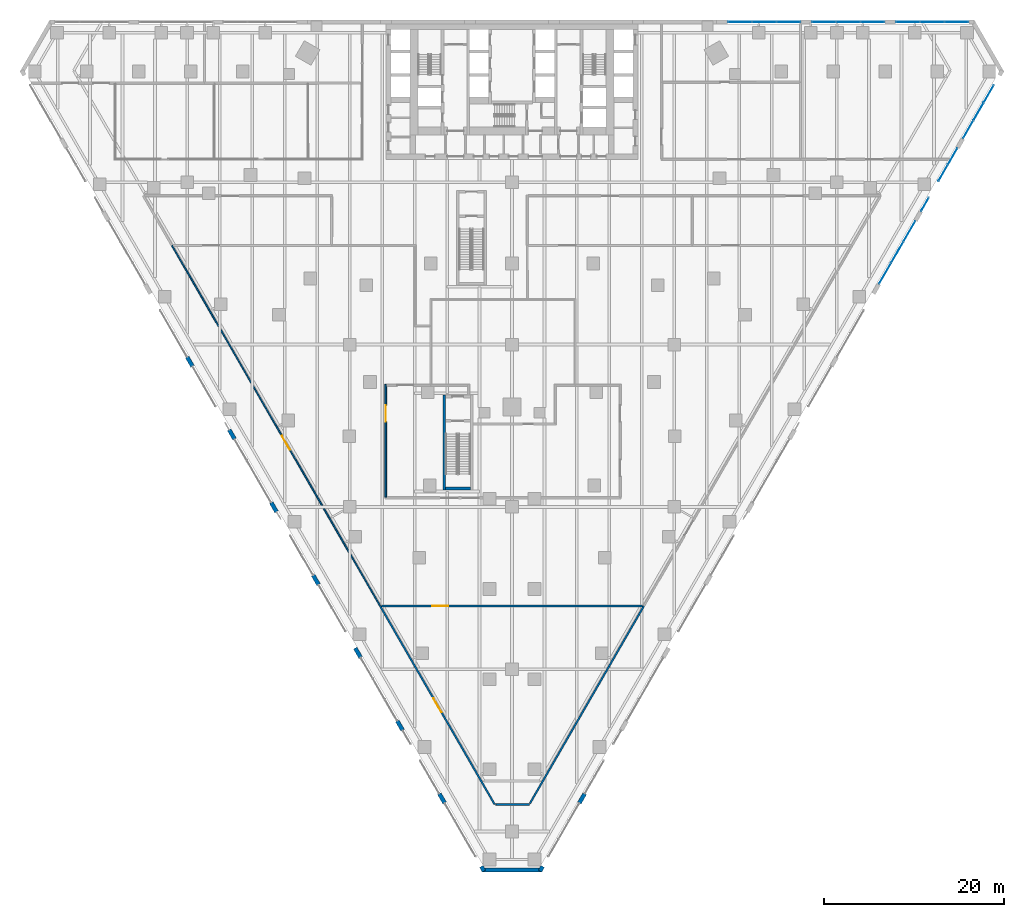
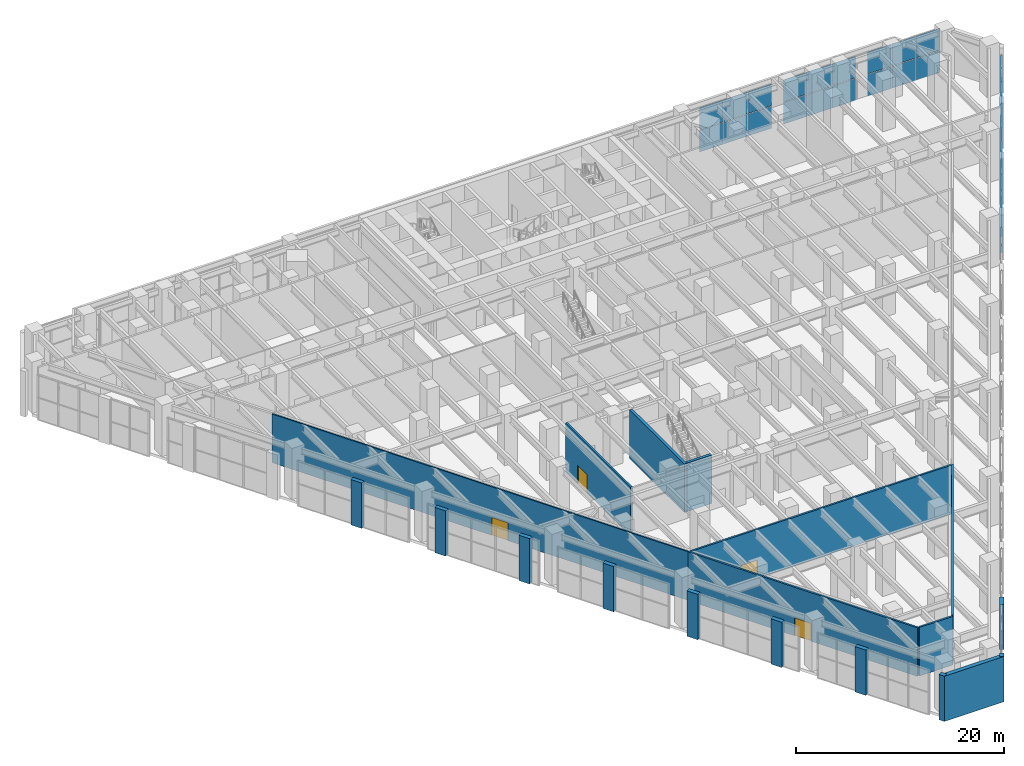
# One storey, part 29 of 37: 36 plates, 19 walls, 4 doors, 4 openings, 7 elements without a shape of their own.
"""IFC4 building model written with IfcOpenShell, lengths in metres."""

from ifc_helpers import new_model, si_unit, direction, frame, frame_2d, origin, origin_2d, place, context, subcontext, project, spatial, polyline, rectangle, outline, extrude, material, layer, layer_set, type_object, element, fill, aggregate, save


model = new_model("IFC4")

# Units and contexts
model_context = context("Model", 3, precision=1e-05, world=origin(), true_north=direction((0.0, 1.0)))
body_context = subcontext(model_context, "Body", "Model", "MODEL_VIEW")
ifc_project = project(units=[si_unit("LENGTHUNIT", "METRE"), si_unit("AREAUNIT", "SQUARE_METRE"), si_unit("VOLUMEUNIT", "CUBIC_METRE"), si_unit("PLANEANGLEUNIT", "RADIAN"), si_unit("MASSUNIT", "GRAM", prefix="KILO")], contexts=[model_context])

# Site, building, storey
site_placement = place(None, origin())
site = spatial("IfcSite", under=ifc_project, at=site_placement, CompositionType="ELEMENT")
building_placement = place(site_placement, origin())
building = spatial("IfcBuilding", under=site, at=building_placement, Name="Aloe Facet Convention Tower", CompositionType="ELEMENT")
storey_placement = place(building_placement, frame((0.0, 0.0, 7.5)))
storey = spatial("IfcBuildingStorey", under=building, at=storey_placement, Name="L01", CompositionType="ELEMENT", Elevation=7.5)

# Curtain wall, plates
ifc_material_1 = material(Name="Aluminium, anodised", Category="aluminium")
curtain_wall_type = type_object("IfcCurtainWallType", Name="EV-CW-SHOP", PredefinedType="USERDEFINED", material=ifc_material_1)
curtain_wall_1_placement = place(storey_placement, origin())
curtain_wall_1 = element("IfcCurtainWall", 1, at=curtain_wall_1_placement, inside=storey, type_object=curtain_wall_type, Name="CW-L01-N02", ObjectType="STICK SHOPFRONT GLAZING", PredefinedType="USERDEFINED")
ifc_material_2 = material(Name="Clear double glazing", Category="glass")
ifc_layer_1 = layer(ifc_material_2, 0.028076171875)
ifc_layer_set_1 = layer_set([ifc_layer_1], Name="EV-PANEL-SHOP")
plate_type = type_object("IfcPlateType", Name="EV-PANEL-SHOP", PredefinedType="CURTAIN_PANEL", material=ifc_layer_set_1)
plate_1_placement = place(storey_placement, frame((129.299072265625, 134.77490234375, -0.23974609375), z_axis=(0.0, 0.0, 1.0), x_axis=(-1.0, 0.0, 0.0)))
plate_1 = element("IfcPlate", 2, at=plate_1_placement, type_object=plate_type, Name="CW-L01-N02 panel 1.1", PredefinedType="CURTAIN_PANEL", context=body_context, shape_type="SweptSolid", body=[
    extrude(rectangle(XDim=2.6171875, YDim=0.028076171875, at=origin_2d()), origin(), (0.0, 0.0, 1.0), 2.566162109375),
])
plate_2_placement = place(storey_placement, frame((129.299072265625, 134.77490234375, 2.38623046875), z_axis=(0.0, 0.0, 1.0), x_axis=(-1.0, 0.0, 0.0)))
plate_2 = element("IfcPlate", 3, at=plate_2_placement, type_object=plate_type, Name="CW-L01-N02 panel 1.2", PredefinedType="CURTAIN_PANEL", context=body_context, shape_type="SweptSolid", body=[
    extrude(rectangle(XDim=2.6171875, YDim=0.028076171875, at=origin_2d()), origin(), (0.0, 0.0, 1.0), 2.566162109375),
])
plate_3_placement = place(storey_placement, frame((126.60693359375, 134.77490234375, -0.23974609375), z_axis=(0.0, 0.0, 1.0), x_axis=(-1.0, 0.0, 0.0)))
plate_3 = element("IfcPlate", 4, at=plate_3_placement, type_object=plate_type, Name="CW-L01-N02 panel 2.1", PredefinedType="CURTAIN_PANEL", context=body_context, shape_type="SweptSolid", body=[
    extrude(rectangle(XDim=2.647216796875, YDim=0.028076171875, at=origin_2d()), origin(), (0.0, 0.0, 1.0), 2.566162109375),
])
plate_4_placement = place(storey_placement, frame((126.60693359375, 134.77490234375, 2.38623046875), z_axis=(0.0, 0.0, 1.0), x_axis=(-1.0, 0.0, 0.0)))
plate_4 = element("IfcPlate", 5, at=plate_4_placement, type_object=plate_type, Name="CW-L01-N02 panel 2.2", PredefinedType="CURTAIN_PANEL", context=body_context, shape_type="SweptSolid", body=[
    extrude(rectangle(XDim=2.647216796875, YDim=0.028076171875, at=origin_2d()), origin(), (0.0, 0.0, 1.0), 2.566162109375),
])
plate_5_placement = place(storey_placement, frame((123.914794921875, 134.77490234375, -0.23974609375), z_axis=(0.0, 0.0, 1.0), x_axis=(-1.0, 0.0, 0.0)))
plate_5 = element("IfcPlate", 6, at=plate_5_placement, type_object=plate_type, Name="CW-L01-N02 panel 3.1", PredefinedType="CURTAIN_PANEL", context=body_context, shape_type="SweptSolid", body=[
    extrude(rectangle(XDim=2.6171875, YDim=0.028076171875, at=origin_2d()), origin(), (0.0, 0.0, 1.0), 2.566162109375),
])
plate_6_placement = place(storey_placement, frame((123.914794921875, 134.77490234375, 2.38623046875), z_axis=(0.0, 0.0, 1.0), x_axis=(-1.0, 0.0, 0.0)))
plate_6 = element("IfcPlate", 7, at=plate_6_placement, type_object=plate_type, Name="CW-L01-N02 panel 3.2", PredefinedType="CURTAIN_PANEL", context=body_context, shape_type="SweptSolid", body=[
    extrude(rectangle(XDim=2.6171875, YDim=0.028076171875, at=origin_2d()), origin(), (0.0, 0.0, 1.0), 2.566162109375),
])
aggregate(curtain_wall_1, [plate_1, plate_2, plate_3, plate_4, plate_5, plate_6])

curtain_wall_2_placement = place(storey_placement, origin())
curtain_wall_2 = element("IfcCurtainWall", 8, at=curtain_wall_2_placement, inside=storey, type_object=curtain_wall_type, Name="CW-L01-N04", ObjectType="STICK SHOPFRONT GLAZING", PredefinedType="USERDEFINED")
plate_7_placement = place(storey_placement, frame((119.9775390625, 134.77490234375, -0.23974609375), z_axis=(0.0, 0.0, 1.0), x_axis=(-1.0, 0.0, 0.0)))
plate_7 = element("IfcPlate", 9, at=plate_7_placement, type_object=plate_type, Name="CW-L01-N04 panel 1.1", PredefinedType="CURTAIN_PANEL", context=body_context, shape_type="SweptSolid", body=[
    extrude(rectangle(XDim=2.6171875, YDim=0.028076171875, at=origin_2d()), origin(), (0.0, 0.0, 1.0), 2.566162109375),
])
plate_8_placement = place(storey_placement, frame((119.9775390625, 134.77490234375, 2.38623046875), z_axis=(0.0, 0.0, 1.0), x_axis=(-1.0, 0.0, 0.0)))
plate_8 = element("IfcPlate", 10, at=plate_8_placement, type_object=plate_type, Name="CW-L01-N04 panel 1.2", PredefinedType="CURTAIN_PANEL", context=body_context, shape_type="SweptSolid", body=[
    extrude(rectangle(XDim=2.6171875, YDim=0.028076171875, at=origin_2d()), origin(), (0.0, 0.0, 1.0), 2.566162109375),
])
plate_9_placement = place(storey_placement, frame((117.285400390625, 134.77490234375, -0.23974609375), z_axis=(0.0, 0.0, 1.0), x_axis=(-1.0, 0.0, 0.0)))
plate_9 = element("IfcPlate", 11, at=plate_9_placement, type_object=plate_type, Name="CW-L01-N04 panel 2.1", PredefinedType="CURTAIN_PANEL", context=body_context, shape_type="SweptSolid", body=[
    extrude(rectangle(XDim=2.647216796875, YDim=0.028076171875, at=origin_2d()), origin(), (0.0, 0.0, 1.0), 2.566162109375),
])
plate_10_placement = place(storey_placement, frame((117.285400390625, 134.77490234375, 2.38623046875), z_axis=(0.0, 0.0, 1.0), x_axis=(-1.0, 0.0, 0.0)))
plate_10 = element("IfcPlate", 12, at=plate_10_placement, type_object=plate_type, Name="CW-L01-N04 panel 2.2", PredefinedType="CURTAIN_PANEL", context=body_context, shape_type="SweptSolid", body=[
    extrude(rectangle(XDim=2.647216796875, YDim=0.028076171875, at=origin_2d()), origin(), (0.0, 0.0, 1.0), 2.566162109375),
])
plate_11_placement = place(storey_placement, frame((114.59326171875, 134.77490234375, -0.23974609375), z_axis=(0.0, 0.0, 1.0), x_axis=(-1.0, 0.0, 0.0)))
plate_11 = element("IfcPlate", 13, at=plate_11_placement, type_object=plate_type, Name="CW-L01-N04 panel 3.1", PredefinedType="CURTAIN_PANEL", context=body_context, shape_type="SweptSolid", body=[
    extrude(rectangle(XDim=2.6171875, YDim=0.028076171875, at=origin_2d()), origin(), (0.0, 0.0, 1.0), 2.566162109375),
])
plate_12_placement = place(storey_placement, frame((114.59326171875, 134.77490234375, 2.38623046875), z_axis=(0.0, 0.0, 1.0), x_axis=(-1.0, 0.0, 0.0)))
plate_12 = element("IfcPlate", 14, at=plate_12_placement, type_object=plate_type, Name="CW-L01-N04 panel 3.2", PredefinedType="CURTAIN_PANEL", context=body_context, shape_type="SweptSolid", body=[
    extrude(rectangle(XDim=2.6171875, YDim=0.028076171875, at=origin_2d()), origin(), (0.0, 0.0, 1.0), 2.566162109375),
])
aggregate(curtain_wall_2, [plate_7, plate_8, plate_9, plate_10, plate_11, plate_12])

curtain_wall_3_placement = place(storey_placement, origin())
curtain_wall_3 = element("IfcCurtainWall", 15, at=curtain_wall_3_placement, inside=storey, type_object=curtain_wall_type, Name="CW-L01-N06", ObjectType="STICK SHOPFRONT GLAZING", PredefinedType="USERDEFINED")
plate_13_placement = place(storey_placement, frame((110.65625, 134.77490234375, -0.23974609375), z_axis=(0.0, 0.0, 1.0), x_axis=(-1.0, 0.0, 0.0)))
plate_13 = element("IfcPlate", 16, at=plate_13_placement, type_object=plate_type, Name="CW-L01-N06 panel 1.1", PredefinedType="CURTAIN_PANEL", context=body_context, shape_type="SweptSolid", body=[
    extrude(rectangle(XDim=2.6171875, YDim=0.028076171875, at=origin_2d()), origin(), (0.0, 0.0, 1.0), 2.566162109375),
])
plate_14_placement = place(storey_placement, frame((110.65625, 134.77490234375, 2.38623046875), z_axis=(0.0, 0.0, 1.0), x_axis=(-1.0, 0.0, 0.0)))
plate_14 = element("IfcPlate", 17, at=plate_14_placement, type_object=plate_type, Name="CW-L01-N06 panel 1.2", PredefinedType="CURTAIN_PANEL", context=body_context, shape_type="SweptSolid", body=[
    extrude(rectangle(XDim=2.6171875, YDim=0.028076171875, at=origin_2d()), origin(), (0.0, 0.0, 1.0), 2.566162109375),
])
plate_15_placement = place(storey_placement, frame((107.964111328125, 134.77490234375, -0.23974609375), z_axis=(0.0, 0.0, 1.0), x_axis=(-1.0, 0.0, 0.0)))
plate_15 = element("IfcPlate", 18, at=plate_15_placement, type_object=plate_type, Name="CW-L01-N06 panel 2.1", PredefinedType="CURTAIN_PANEL", context=body_context, shape_type="SweptSolid", body=[
    extrude(rectangle(XDim=2.647216796875, YDim=0.028076171875, at=origin_2d()), origin(), (0.0, 0.0, 1.0), 2.566162109375),
])
plate_16_placement = place(storey_placement, frame((107.964111328125, 134.77490234375, 2.38623046875), z_axis=(0.0, 0.0, 1.0), x_axis=(-1.0, 0.0, 0.0)))
plate_16 = element("IfcPlate", 19, at=plate_16_placement, type_object=plate_type, Name="CW-L01-N06 panel 2.2", PredefinedType="CURTAIN_PANEL", context=body_context, shape_type="SweptSolid", body=[
    extrude(rectangle(XDim=2.647216796875, YDim=0.028076171875, at=origin_2d()), origin(), (0.0, 0.0, 1.0), 2.566162109375),
])
plate_17_placement = place(storey_placement, frame((105.27197265625, 134.77490234375, -0.23974609375), z_axis=(0.0, 0.0, 1.0), x_axis=(-1.0, 0.0, 0.0)))
plate_17 = element("IfcPlate", 20, at=plate_17_placement, type_object=plate_type, Name="CW-L01-N06 panel 3.1", PredefinedType="CURTAIN_PANEL", context=body_context, shape_type="SweptSolid", body=[
    extrude(rectangle(XDim=2.6171875, YDim=0.028076171875, at=origin_2d()), origin(), (0.0, 0.0, 1.0), 2.566162109375),
])
plate_18_placement = place(storey_placement, frame((105.27197265625, 134.77490234375, 2.38623046875), z_axis=(0.0, 0.0, 1.0), x_axis=(-1.0, 0.0, 0.0)))
plate_18 = element("IfcPlate", 21, at=plate_18_placement, type_object=plate_type, Name="CW-L01-N06 panel 3.2", PredefinedType="CURTAIN_PANEL", context=body_context, shape_type="SweptSolid", body=[
    extrude(rectangle(XDim=2.6171875, YDim=0.028076171875, at=origin_2d()), origin(), (0.0, 0.0, 1.0), 2.566162109375),
])
aggregate(curtain_wall_3, [plate_13, plate_14, plate_15, plate_16, plate_17, plate_18])

curtain_wall_4_placement = place(storey_placement, origin())
curtain_wall_4 = element("IfcCurtainWall", 22, at=curtain_wall_4_placement, inside=storey, type_object=curtain_wall_type, Name="CW-L01-E18", ObjectType="STICK SHOPFRONT GLAZING", PredefinedType="USERDEFINED")
plate_19_placement = place(storey_placement, frame((121.375, 106.884033203125, -0.23974609375), z_axis=(0.0, 0.0, 1.0), x_axis=(0.500000000015, 0.866025403776, 0.0)))
plate_19 = element("IfcPlate", 23, at=plate_19_placement, type_object=plate_type, Name="CW-L01-E18 panel 1.1", PredefinedType="CURTAIN_PANEL", context=body_context, shape_type="SweptSolid", body=[
    extrude(rectangle(XDim=2.6171875, YDim=0.028076171875, at=origin_2d()), origin(), (0.0, 0.0, 1.0), 2.566162109375),
])
plate_20_placement = place(storey_placement, frame((121.375, 106.884033203125, 2.38623046875), z_axis=(0.0, 0.0, 1.0), x_axis=(0.500000000015, 0.866025403776, 0.0)))
plate_20 = element("IfcPlate", 24, at=plate_20_placement, type_object=plate_type, Name="CW-L01-E18 panel 1.2", PredefinedType="CURTAIN_PANEL", context=body_context, shape_type="SweptSolid", body=[
    extrude(rectangle(XDim=2.6171875, YDim=0.028076171875, at=origin_2d()), origin(), (0.0, 0.0, 1.0), 2.566162109375),
])
plate_21_placement = place(storey_placement, frame((122.720947265625, 109.21533203125, -0.23974609375), z_axis=(0.0, 0.0, 1.0), x_axis=(0.500000000015, 0.866025403776, 0.0)))
plate_21 = element("IfcPlate", 25, at=plate_21_placement, type_object=plate_type, Name="CW-L01-E18 panel 2.1", PredefinedType="CURTAIN_PANEL", context=body_context, shape_type="SweptSolid", body=[
    extrude(rectangle(XDim=2.647216796875, YDim=0.028076171875, at=origin_2d()), origin(), (0.0, 0.0, 1.0), 2.566162109375),
])
plate_22_placement = place(storey_placement, frame((122.720947265625, 109.21533203125, 2.38623046875), z_axis=(0.0, 0.0, 1.0), x_axis=(0.500000000015, 0.866025403776, 0.0)))
plate_22 = element("IfcPlate", 26, at=plate_22_placement, type_object=plate_type, Name="CW-L01-E18 panel 2.2", PredefinedType="CURTAIN_PANEL", context=body_context, shape_type="SweptSolid", body=[
    extrude(rectangle(XDim=2.647216796875, YDim=0.028076171875, at=origin_2d()), origin(), (0.0, 0.0, 1.0), 2.566162109375),
])
plate_23_placement = place(storey_placement, frame((124.06689453125, 111.546875, -0.23974609375), z_axis=(0.0, 0.0, 1.0), x_axis=(0.500000000015, 0.866025403776, 0.0)))
plate_23 = element("IfcPlate", 27, at=plate_23_placement, type_object=plate_type, Name="CW-L01-E18 panel 3.1", PredefinedType="CURTAIN_PANEL", context=body_context, shape_type="SweptSolid", body=[
    extrude(rectangle(XDim=2.6171875, YDim=0.028076171875, at=origin_2d()), origin(), (0.0, 0.0, 1.0), 2.566162109375),
])
plate_24_placement = place(storey_placement, frame((124.06689453125, 111.546875, 2.38623046875), z_axis=(0.0, 0.0, 1.0), x_axis=(0.500000000015, 0.866025403776, 0.0)))
plate_24 = element("IfcPlate", 28, at=plate_24_placement, type_object=plate_type, Name="CW-L01-E18 panel 3.2", PredefinedType="CURTAIN_PANEL", context=body_context, shape_type="SweptSolid", body=[
    extrude(rectangle(XDim=2.6171875, YDim=0.028076171875, at=origin_2d()), origin(), (0.0, 0.0, 1.0), 2.566162109375),
])
aggregate(curtain_wall_4, [plate_19, plate_20, plate_21, plate_22, plate_23, plate_24])

curtain_wall_5_placement = place(storey_placement, origin())
curtain_wall_5 = element("IfcCurtainWall", 29, at=curtain_wall_5_placement, inside=storey, type_object=curtain_wall_type, Name="CW-L01-E20-1", ObjectType="STICK SHOPFRONT GLAZING", PredefinedType="USERDEFINED")
plate_25_placement = place(storey_placement, frame((125.799560546875, 114.547607421875, -0.23974609375), z_axis=(0.0, 0.0, 1.0), x_axis=(0.499999999955, 0.866025403811, 0.0)))
plate_25 = element("IfcPlate", 30, at=plate_25_placement, type_object=plate_type, Name="CW-L01-E20-1 panel 1.1", PredefinedType="CURTAIN_PANEL", context=body_context, shape_type="SweptSolid", body=[
    extrude(rectangle(XDim=1.6728515625, YDim=0.028076171875, at=origin_2d()), origin(), (0.0, 0.0, 1.0), 2.566162109375),
])
plate_26_placement = place(storey_placement, frame((125.799560546875, 114.547607421875, 2.38623046875), z_axis=(0.0, 0.0, 1.0), x_axis=(0.499999999955, 0.866025403811, 0.0)))
plate_26 = element("IfcPlate", 31, at=plate_26_placement, type_object=plate_type, Name="CW-L01-E20-1 panel 1.2", PredefinedType="CURTAIN_PANEL", context=body_context, shape_type="SweptSolid", body=[
    extrude(rectangle(XDim=1.6728515625, YDim=0.028076171875, at=origin_2d()), origin(), (0.0, 0.0, 1.0), 2.566162109375),
])
aggregate(curtain_wall_5, [plate_25, plate_26])

curtain_wall_6_placement = place(storey_placement, origin())
curtain_wall_6 = element("IfcCurtainWall", 32, at=curtain_wall_6_placement, inside=storey, type_object=curtain_wall_type, Name="CW-L01-E20-2", ObjectType="STICK SHOPFRONT GLAZING", PredefinedType="USERDEFINED")
plate_27_placement = place(storey_placement, frame((127.814697265625, 118.0380859375, -0.23974609375), z_axis=(0.0, 0.0, 1.0), x_axis=(0.50000000003, 0.866025403767, 0.0)))
plate_27 = element("IfcPlate", 33, at=plate_27_placement, type_object=plate_type, Name="CW-L01-E20-2 panel 1.1", PredefinedType="CURTAIN_PANEL", context=body_context, shape_type="SweptSolid", body=[
    extrude(rectangle(XDim=2.0498046875, YDim=0.028076171875, at=origin_2d()), origin(), (0.0, 0.0, 1.0), 2.566162109375),
])
plate_28_placement = place(storey_placement, frame((127.814697265625, 118.0380859375, 2.38623046875), z_axis=(0.0, 0.0, 1.0), x_axis=(0.50000000003, 0.866025403767, 0.0)))
plate_28 = element("IfcPlate", 34, at=plate_28_placement, type_object=plate_type, Name="CW-L01-E20-2 panel 1.2", PredefinedType="CURTAIN_PANEL", context=body_context, shape_type="SweptSolid", body=[
    extrude(rectangle(XDim=2.0498046875, YDim=0.028076171875, at=origin_2d()), origin(), (0.0, 0.0, 1.0), 2.566162109375),
])
plate_29_placement = place(storey_placement, frame((128.86962890625, 119.864990234375, -0.23974609375), z_axis=(0.0, 0.0, 1.0), x_axis=(0.50000000003, 0.866025403767, 0.0)))
plate_29 = element("IfcPlate", 35, at=plate_29_placement, type_object=plate_type, Name="CW-L01-E20-2 panel 2.1", PredefinedType="CURTAIN_PANEL", context=body_context, shape_type="SweptSolid", body=[
    extrude(rectangle(XDim=2.0498046875, YDim=0.028076171875, at=origin_2d()), origin(), (0.0, 0.0, 1.0), 2.566162109375),
])
plate_30_placement = place(storey_placement, frame((128.86962890625, 119.864990234375, 2.38623046875), z_axis=(0.0, 0.0, 1.0), x_axis=(0.50000000003, 0.866025403767, 0.0)))
plate_30 = element("IfcPlate", 36, at=plate_30_placement, type_object=plate_type, Name="CW-L01-E20-2 panel 2.2", PredefinedType="CURTAIN_PANEL", context=body_context, shape_type="SweptSolid", body=[
    extrude(rectangle(XDim=2.0498046875, YDim=0.028076171875, at=origin_2d()), origin(), (0.0, 0.0, 1.0), 2.566162109375),
])
aggregate(curtain_wall_6, [plate_27, plate_28, plate_29, plate_30])

curtain_wall_7_placement = place(storey_placement, origin())
curtain_wall_7 = element("IfcCurtainWall", 37, at=curtain_wall_7_placement, inside=storey, type_object=curtain_wall_type, Name="CW-L01-E22", ObjectType="STICK SHOPFRONT GLAZING", PredefinedType="USERDEFINED")
plate_31_placement = place(storey_placement, frame((130.593505859375, 122.85107421875, -0.23974609375), z_axis=(0.0, 0.0, 1.0), x_axis=(0.499999999924, 0.866025403828, 0.0)))
plate_31 = element("IfcPlate", 38, at=plate_31_placement, type_object=plate_type, Name="CW-L01-E22 panel 1.1", PredefinedType="CURTAIN_PANEL", context=body_context, shape_type="SweptSolid", body=[
    extrude(rectangle(XDim=2.2060546875, YDim=0.028076171875, at=origin_2d()), origin(), (0.0, 0.0, 1.0), 2.566162109375),
])
plate_32_placement = place(storey_placement, frame((130.593505859375, 122.85107421875, 2.38623046875), z_axis=(0.0, 0.0, 1.0), x_axis=(0.499999999924, 0.866025403828, 0.0)))
plate_32 = element("IfcPlate", 39, at=plate_32_placement, type_object=plate_type, Name="CW-L01-E22 panel 1.2", PredefinedType="CURTAIN_PANEL", context=body_context, shape_type="SweptSolid", body=[
    extrude(rectangle(XDim=2.2060546875, YDim=0.028076171875, at=origin_2d()), origin(), (0.0, 0.0, 1.0), 2.566162109375),
])
plate_33_placement = place(storey_placement, frame((131.734130859375, 124.82666015625, -0.23974609375), z_axis=(0.0, 0.0, 1.0), x_axis=(0.499999999924, 0.866025403828, 0.0)))
plate_33 = element("IfcPlate", 40, at=plate_33_placement, type_object=plate_type, Name="CW-L01-E22 panel 2.1", PredefinedType="CURTAIN_PANEL", context=body_context, shape_type="SweptSolid", body=[
    extrude(rectangle(XDim=2.236083984375, YDim=0.028076171875, at=origin_2d()), origin(), (0.0, 0.0, 1.0), 2.566162109375),
])
plate_34_placement = place(storey_placement, frame((131.734130859375, 124.82666015625, 2.38623046875), z_axis=(0.0, 0.0, 1.0), x_axis=(0.499999999924, 0.866025403828, 0.0)))
plate_34 = element("IfcPlate", 41, at=plate_34_placement, type_object=plate_type, Name="CW-L01-E22 panel 2.2", PredefinedType="CURTAIN_PANEL", context=body_context, shape_type="SweptSolid", body=[
    extrude(rectangle(XDim=2.236083984375, YDim=0.028076171875, at=origin_2d()), origin(), (0.0, 0.0, 1.0), 2.566162109375),
])
plate_35_placement = place(storey_placement, frame((132.874755859375, 126.802001953125, -0.23974609375), z_axis=(0.0, 0.0, 1.0), x_axis=(0.499999999924, 0.866025403828, 0.0)))
plate_35 = element("IfcPlate", 42, at=plate_35_placement, type_object=plate_type, Name="CW-L01-E22 panel 3.1", PredefinedType="CURTAIN_PANEL", context=body_context, shape_type="SweptSolid", body=[
    extrude(rectangle(XDim=2.2060546875, YDim=0.028076171875, at=origin_2d()), origin(), (0.0, 0.0, 1.0), 2.566162109375),
])
plate_36_placement = place(storey_placement, frame((132.874755859375, 126.802001953125, 2.38623046875), z_axis=(0.0, 0.0, 1.0), x_axis=(0.499999999924, 0.866025403828, 0.0)))
plate_36 = element("IfcPlate", 43, at=plate_36_placement, type_object=plate_type, Name="CW-L01-E22 panel 3.2", PredefinedType="CURTAIN_PANEL", context=body_context, shape_type="SweptSolid", body=[
    extrude(rectangle(XDim=2.2060546875, YDim=0.028076171875, at=origin_2d()), origin(), (0.0, 0.0, 1.0), 2.566162109375),
])
aggregate(curtain_wall_7, [plate_31, plate_32, plate_33, plate_34, plate_35, plate_36])

# Walls
ifc_material_3 = material(Name="Concrete C50/60", Category="concrete")
ifc_layer_2 = layer(ifc_material_3, 0.300048828125)
ifc_layer_set_2 = layer_set([ifc_layer_2], Name="CR-W-RC300-C5060")
wall_type_1 = type_object("IfcWallType", Name="CR-W-RC300-C5060", PredefinedType="SOLIDWALL", material=ifc_layer_set_2)
wall_1_placement = place(storey_placement, frame((72.47509765625, 82.89990234375, 0.0), z_axis=(0.0, 0.0, 1.0), x_axis=(0.0, 1.0, 0.0)))
element("IfcWall", 44, at=wall_1_placement, inside=storey, type_object=wall_type_1, Name="Exit stair wall L01-01", PredefinedType="SOLIDWALL", context=body_context, shape_type="SweptSolid", body=[
    extrude(rectangle(XDim=10.5, YDim=0.300048828125, at=frame_2d((5.25, 0.0))), origin(), (0.0, 0.0, 1.0), 5.699951171875),
])
wall_2_placement = place(storey_placement, frame((72.625, 83.050048828125, 0.0), z_axis=(0.0, 0.0, 1.0), x_axis=(1.0, 0.0, 0.0)))
element("IfcWall", 45, at=wall_2_placement, inside=storey, type_object=wall_type_1, Name="Exit stair wall L01-03", PredefinedType="SOLIDWALL", context=body_context, shape_type="SweptSolid", body=[
    extrude(rectangle(XDim=2.75, YDim=0.300048828125, at=frame_2d((1.375, 0.0))), origin(), (0.0, 0.0, 1.0), 5.699951171875),
])
ifc_material_4 = material(Name="Precast concrete C40/50", Category="concrete")
ifc_layer_3 = layer(ifc_material_4, 0.449951171875)
ifc_layer_set_3 = layer_set([ifc_layer_3], Name="EV-WALL-PIER")
wall_type_2 = type_object("IfcWallType", Name="EV-WALL-PIER", PredefinedType="SOLIDWALL", material=ifc_layer_set_3)
wall_3_placement = place(storey_placement, frame((0.0, 0.0, -0.300048828125)))
element("IfcWall", 46, at=wall_3_placement, inside=storey, type_object=wall_type_2, Name="EP-L01-B", PredefinedType="SOLIDWALL", context=body_context, shape_type="SweptSolid", body=[
    extrude(outline(polyline([(76.699951171875, 40.486328125), (77.089599609375, 40.711181640625), (76.959716796875, 40.936279296875), (83.040283203125, 40.936279296875), (82.910400390625, 40.711181640625), (83.300048828125, 40.486328125), (76.699951171875, 40.486328125)])), origin(), (0.0, 0.0, 1.0), 5.3125),
])
ifc_material_5 = material(Name="Precast concrete C40/50", Category="concrete")
ifc_layer_4 = layer(ifc_material_5, 0.449951171875)
ifc_layer_set_4 = layer_set([ifc_layer_4], Name="EV-WALL-STONE")
wall_type_3 = type_object("IfcWallType", Name="EV-WALL-STONE", PredefinedType="SOLIDWALL", material=ifc_layer_set_4)
wall_4_placement = place(storey_placement, frame((43.969970703125, 97.626220703125, -0.300048828125), z_axis=(0.0, 0.0, 1.0), x_axis=(0.500033551112, -0.866006032174, 0.0)))
element("IfcWall", 47, at=wall_4_placement, inside=storey, type_object=wall_type_3, Name="PW-L01-W09", PredefinedType="SOLIDWALL", context=body_context, shape_type="SweptSolid", body=[
    extrude(rectangle(XDim=1.2001953125, YDim=0.449951171875, at=frame_2d((0.60009765625, 0.0))), origin(), (0.0, 0.0, 1.0), 5.3125),
])
for number, where, z_axis, x_axis, name in (
    (48, (48.630859375, 89.5537109375, -0.300048828125), (0.0, 0.0, 1.0), (0.499880961361, -0.866094119867, 0.0), "PW-L01-W11"),
    (49, (53.29150390625, 81.481201171875, -0.300048828125), (0.0, 0.0, 1.0), (0.499880961361, -0.866094119867, 0.0), "PW-L01-W13"),
):
    element("IfcWall", number, at=place(storey_placement, frame(where, z_axis=z_axis, x_axis=x_axis)), inside=storey, type_object=wall_type_3, Name=name, PredefinedType="SOLIDWALL", context=body_context, shape_type="SweptSolid", body=[
        extrude(rectangle(XDim=1.199951171875, YDim=0.449951171875, at=frame_2d((0.60009765625, 0.0))), origin(), (0.0, 0.0, 1.0), 5.3125),
    ])
wall_5_placement = place(storey_placement, frame((57.9521484375, 73.408447265625, -0.300048828125), z_axis=(0.0, 0.0, 1.0), x_axis=(0.499969057507, -0.866043267704, 0.0)))
element("IfcWall", 50, at=wall_5_placement, inside=storey, type_object=wall_type_3, Name="PW-L01-W15", PredefinedType="SOLIDWALL", context=body_context, shape_type="SweptSolid", body=[
    extrude(rectangle(XDim=1.19970703125, YDim=0.449951171875, at=frame_2d((0.599853515625, 0.0))), origin(), (0.0, 0.0, 1.0), 5.3125),
])
for number, where, z_axis, x_axis, name in (
    (51, (62.61279296875, 65.3359375, -0.300048828125), (0.0, 0.0, 1.0), (0.50012165622, -0.865955154139, 0.0), "PW-L01-W17"),
    (52, (67.2734375, 57.263427734375, -0.300048828125), (0.0, 0.0, 1.0), (0.50012165622, -0.865955154139, 0.0), "PW-L01-W19"),
):
    element("IfcWall", number, at=place(storey_placement, frame(where, z_axis=z_axis, x_axis=x_axis)), inside=storey, type_object=wall_type_3, Name=name, PredefinedType="SOLIDWALL", context=body_context, shape_type="SweptSolid", body=[
        extrude(rectangle(XDim=1.199951171875, YDim=0.449951171875, at=frame_2d((0.60009765625, 0.0))), origin(), (0.0, 0.0, 1.0), 5.3125),
    ])
wall_6_placement = place(storey_placement, frame((71.93408203125, 49.19091796875, -0.300048828125), z_axis=(0.0, 0.0, 1.0), x_axis=(0.500033551112, -0.866006032174, 0.0)))
element("IfcWall", 53, at=wall_6_placement, inside=storey, type_object=wall_type_3, Name="PW-L01-W21", PredefinedType="SOLIDWALL", context=body_context, shape_type="SweptSolid", body=[
    extrude(rectangle(XDim=1.2001953125, YDim=0.449951171875, at=frame_2d((0.60009765625, 0.0))), origin(), (0.0, 0.0, 1.0), 5.3125),
])
for number, where, z_axis, x_axis, name in (
    (54, (76.594970703125, 41.118408203125, -0.300048828125), (0.0, 0.0, 1.0), (0.499816412211, -0.866131372301, 0.0), "PW-L01-W23"),
    (55, (83.105224609375, 40.598876953125, -0.300048828125), (0.0, 0.0, 1.0), (0.499816412211, 0.866131372301, 0.0), "PW-L01-E01"),
):
    element("IfcWall", number, at=place(storey_placement, frame(where, z_axis=z_axis, x_axis=x_axis)), inside=storey, type_object=wall_type_3, Name=name, PredefinedType="SOLIDWALL", context=body_context, shape_type="SweptSolid", body=[
        extrude(rectangle(XDim=0.599853515625, YDim=0.449951171875, at=frame_2d((0.2998046875, 0.0))), origin(), (0.0, 0.0, 1.0), 5.3125),
    ])
wall_7_placement = place(storey_placement, frame((87.4658203125, 48.151611328125, -0.300048828125), z_axis=(0.0, 0.0, 1.0), x_axis=(0.500033551112, 0.866006032174, 0.0)))
element("IfcWall", 56, at=wall_7_placement, inside=storey, type_object=wall_type_3, Name="PW-L01-E03", PredefinedType="SOLIDWALL", context=body_context, shape_type="SweptSolid", body=[
    extrude(rectangle(XDim=1.2001953125, YDim=0.449951171875, at=frame_2d((0.60009765625, 0.0))), origin(), (0.0, 0.0, 1.0), 5.3125),
])

# Wall, opening, door
ifc_material_6 = material(Name="Masonry blockwork wall, plastered", Category="masonry")
ifc_layer_5 = layer(ifc_material_6, 0.199951171875)
ifc_layer_set_5 = layer_set([ifc_layer_5], Name="IN-POD-W-ASSY")
wall_type_4 = type_object("IfcWallType", Name="IN-POD-W-ASSY", PredefinedType="PARTITIONING", material=ifc_layer_set_5)
wall_8_placement = place(storey_placement, frame((65.3759765625, 70.0, 0.0), z_axis=(0.0, 0.0, 1.0), x_axis=(0.499998648824, -0.866026183885, 0.0)))
wall_8 = element("IfcWall", 57, at=wall_8_placement, inside=storey, type_object=wall_type_4, Name="Partition L01-W001", PredefinedType="PARTITIONING", context=body_context, shape_type="SweptSolid", body=[
    extrude(rectangle(XDim=25.4033203125, YDim=0.199951171875, at=frame_2d((12.70166015625, 0.0))), origin(), (0.0, 0.0, 1.0), 5.699951171875),
])
opening_1_placement = place(wall_8_placement, frame((11.8017578125, 0.0, 0.0)))
opening_1 = element("IfcOpeningElement", 58, at=opening_1_placement, cuts=wall_8, Name="Opening L01-026", PredefinedType="OPENING", context=body_context, shape_type="SweptSolid", body=[
    extrude(rectangle(XDim=1.800048828125, YDim=2.10009765625, at=frame_2d((0.89990234375, 1.050048828125))), frame((0.0, 0.10986328125, 0.0), z_axis=(0.0, -1.0, 0.0), x_axis=(1.0, 0.0, 0.0)), (0.0, 0.0, 1.0), 0.219970703125),
])
ifc_material_7 = material(Name="Hardwood flush door pair", Category="wood")
door_type = type_object("IfcDoorType", Name="IN-POD-D-PAIR", OperationType="DOUBLE_DOOR_SINGLE_SWING", PredefinedType="DOOR", material=ifc_material_7)
door_1_placement = place(opening_1_placement, origin())
door_1 = element("IfcDoor", 59, at=door_1_placement, inside=storey, type_object=door_type, Name="Door L01-026", OperationType="SINGLE_SWING_LEFT", OverallHeight=2.10009765625, OverallWidth=1.800048828125, PredefinedType="DOOR", context=body_context, shape_type="SweptSolid", body=[
    extrude(rectangle(XDim=1.800048828125, YDim=2.10009765625, at=frame_2d((0.89990234375, 1.050048828125))), frame((0.0, 0.02490234375, 0.0), z_axis=(0.0, -1.0, 0.0), x_axis=(1.0, 0.0, 0.0)), (0.0, 0.0, 1.0), 0.050048828125),
])
fill(opening_1, door_1)

# Wall
wall_9_placement = place(storey_placement, frame((78.20751953125, 48.0, 0.0), z_axis=(0.0, 0.0, 1.0), x_axis=(1.0, 0.0, 0.0)))
element("IfcWall", 60, at=wall_9_placement, inside=storey, type_object=wall_type_4, Name="Partition L01-W002", PredefinedType="PARTITIONING", context=body_context, shape_type="SweptSolid", body=[
    extrude(rectangle(XDim=3.71484375, YDim=0.199951171875, at=frame_2d((1.857421875, 0.0))), origin(), (0.0, 0.0, 1.0), 5.699951171875),
])

# Wall, opening, door
wall_10_placement = place(storey_placement, frame((65.531005859375, 70.0, 0.0), z_axis=(0.0, 0.0, 1.0), x_axis=(1.0, 0.0, 0.0)))
wall_10 = element("IfcWall", 61, at=wall_10_placement, inside=storey, type_object=wall_type_4, Name="Partition L01-W003", PredefinedType="PARTITIONING", context=body_context, shape_type="SweptSolid", body=[
    extrude(rectangle(XDim=28.93798828125, YDim=0.199951171875, at=frame_2d((14.468994140625, 0.0))), origin(), (0.0, 0.0, 1.0), 5.699951171875),
])
opening_2_placement = place(wall_10_placement, frame((5.607666015625, 0.0, 0.0)))
opening_2 = element("IfcOpeningElement", 62, at=opening_2_placement, cuts=wall_10, Name="Opening L01-027", PredefinedType="OPENING", context=body_context, shape_type="SweptSolid", body=[
    extrude(rectangle(XDim=1.800048828125, YDim=2.10009765625, at=frame_2d((0.89990234375, 1.050048828125))), frame((0.0, 0.10986328125, 0.0), z_axis=(0.0, -1.0, 0.0), x_axis=(1.0, 0.0, 0.0)), (0.0, 0.0, 1.0), 0.219970703125),
])
door_2_placement = place(opening_2_placement, origin())
door_2 = element("IfcDoor", 63, at=door_2_placement, inside=storey, type_object=door_type, Name="Door L01-027", OperationType="SINGLE_SWING_LEFT", OverallHeight=2.10009765625, OverallWidth=1.800048828125, PredefinedType="DOOR", context=body_context, shape_type="SweptSolid", body=[
    extrude(rectangle(XDim=1.800048828125, YDim=2.10009765625, at=frame_2d((0.89990234375, 1.050048828125))), frame((0.0, 0.02490234375, 0.0), z_axis=(0.0, -1.0, 0.0), x_axis=(1.0, 0.0, 0.0)), (0.0, 0.0, 1.0), 0.050048828125),
])
fill(opening_2, door_2)

# Wall
wall_11_placement = place(storey_placement, frame((81.9873046875, 48.112548828125, 0.0), z_axis=(0.0, 0.0, 1.0), x_axis=(0.499999790018, 0.866025525018, 0.0)))
element("IfcWall", 64, at=wall_11_placement, inside=storey, type_object=wall_type_4, Name="Partition L01-W005", PredefinedType="PARTITIONING", context=body_context, shape_type="SweptSolid", body=[
    extrude(rectangle(XDim=25.2734375, YDim=0.199951171875, at=frame_2d((12.63671875, 0.0))), origin(), (0.0, 0.0, 1.0), 5.699951171875),
])

# Wall, opening, door
wall_12_placement = place(storey_placement, frame((66.00048828125, 82.0849609375, 0.0), z_axis=(0.0, 0.0, 1.0), x_axis=(-3.9095334e-05, 0.999999999236, 0.0)))
wall_12 = element("IfcWall", 65, at=wall_12_placement, inside=storey, type_object=wall_type_4, Name="Partition L01-W010", PredefinedType="PARTITIONING", context=body_context, shape_type="SweptSolid", body=[
    extrude(rectangle(XDim=12.489501953125, YDim=0.199951171875, at=frame_2d((6.24462890625, 0.0))), origin(), (0.0, 0.0, 1.0), 5.699951171875),
])
opening_3_placement = place(wall_12_placement, frame((8.37158203125, 0.0, 0.0)))
opening_3 = element("IfcOpeningElement", 66, at=opening_3_placement, cuts=wall_12, Name="Opening L01-015", PredefinedType="OPENING", context=body_context, shape_type="SweptSolid", body=[
    extrude(rectangle(XDim=1.800048828125, YDim=2.10009765625, at=frame_2d((0.89990234375, 1.050048828125))), frame((0.0, 0.10986328125, 0.0), z_axis=(0.0, -1.0, 0.0), x_axis=(1.0, 0.0, 0.0)), (0.0, 0.0, 1.0), 0.219970703125),
])
door_3_placement = place(opening_3_placement, origin())
door_3 = element("IfcDoor", 67, at=door_3_placement, inside=storey, type_object=door_type, Name="Door L01-015", OperationType="SINGLE_SWING_LEFT", OverallHeight=2.10009765625, OverallWidth=1.800048828125, PredefinedType="DOOR", context=body_context, shape_type="SweptSolid", body=[
    extrude(rectangle(XDim=1.800048828125, YDim=2.10009765625, at=frame_2d((0.89990234375, 1.050048828125))), frame((0.0, 0.02490234375, 0.0), z_axis=(0.0, -1.0, 0.0), x_axis=(1.0, 0.0, 0.0)), (0.0, 0.0, 1.0), 0.050048828125),
])
fill(opening_3, door_3)

ifc_material_8 = material(Name="Gypsum board partition on steel studs, double layer", Category="steel")
ifc_layer_6 = layer(ifc_material_8, 0.14990234375)
ifc_layer_set_6 = layer_set([ifc_layer_6], Name="IN-POD-W-CORR")
wall_type_5 = type_object("IfcWallType", Name="IN-POD-W-CORR", PredefinedType="PARTITIONING", material=ifc_layer_set_6)
wall_13_placement = place(storey_placement, frame((42.281982421875, 110.0, 0.0), z_axis=(0.0, 0.0, 1.0), x_axis=(0.499999730012, -0.866025559662, 0.0)))
wall_13 = element("IfcWall", 68, at=wall_13_placement, inside=storey, type_object=wall_type_5, Name="Partition L01-W004", PredefinedType="PARTITIONING", context=body_context, shape_type="SweptSolid", body=[
    extrude(rectangle(XDim=46.18798828125, YDim=0.14990234375, at=frame_2d((23.093994140625, 0.0))), origin(), (0.0, 0.0, 1.0), 5.699951171875),
])
opening_4_placement = place(wall_13_placement, frame((24.38330078125, 0.0, 0.0)))
opening_4 = element("IfcOpeningElement", 69, at=opening_4_placement, cuts=wall_13, Name="Opening L01-018", PredefinedType="OPENING", context=body_context, shape_type="SweptSolid", body=[
    extrude(rectangle(XDim=1.800048828125, YDim=2.10009765625, at=frame_2d((0.89990234375, 1.050048828125))), frame((0.0, 0.0849609375, 0.0), z_axis=(0.0, -1.0, 0.0), x_axis=(1.0, 0.0, 0.0)), (0.0, 0.0, 1.0), 0.169921875),
])
door_4_placement = place(opening_4_placement, origin())
door_4 = element("IfcDoor", 70, at=door_4_placement, inside=storey, type_object=door_type, Name="Door L01-018", OperationType="SINGLE_SWING_LEFT", OverallHeight=2.10009765625, OverallWidth=1.800048828125, PredefinedType="DOOR", context=body_context, shape_type="SweptSolid", body=[
    extrude(rectangle(XDim=1.800048828125, YDim=2.10009765625, at=frame_2d((0.89990234375, 1.050048828125))), frame((0.0, 0.02490234375, 0.0), z_axis=(0.0, -1.0, 0.0), x_axis=(1.0, 0.0, 0.0)), (0.0, 0.0, 1.0), 0.050048828125),
])
fill(opening_4, door_4)

save(model, "model.ifc")
